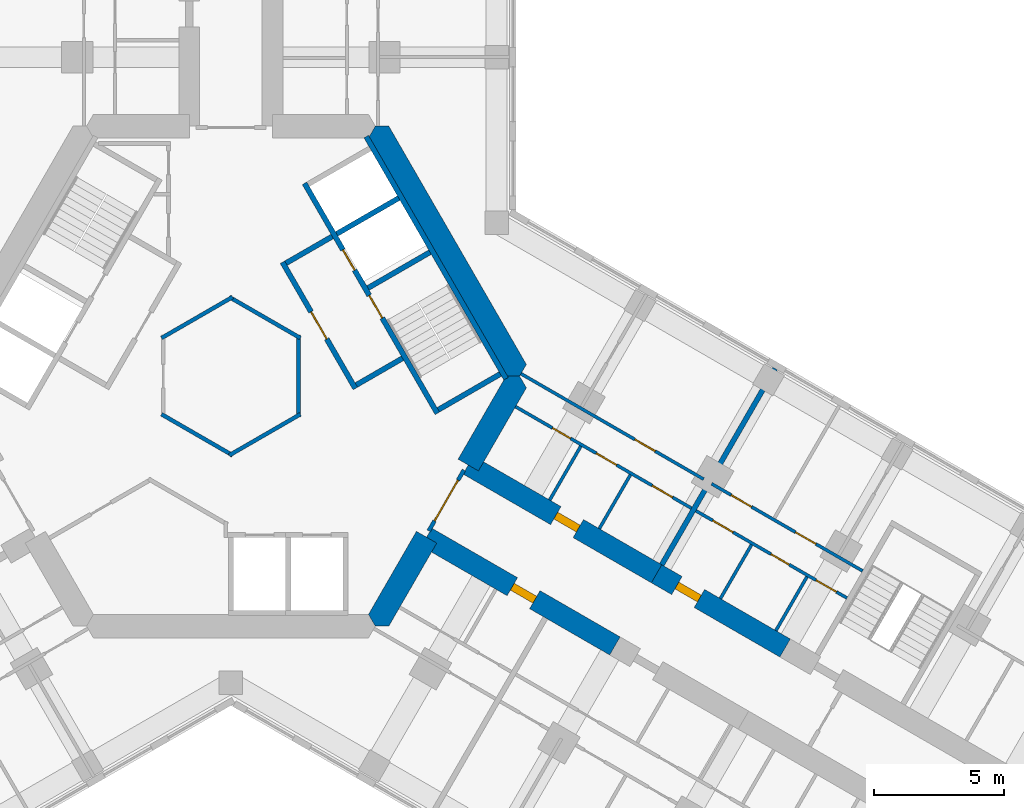
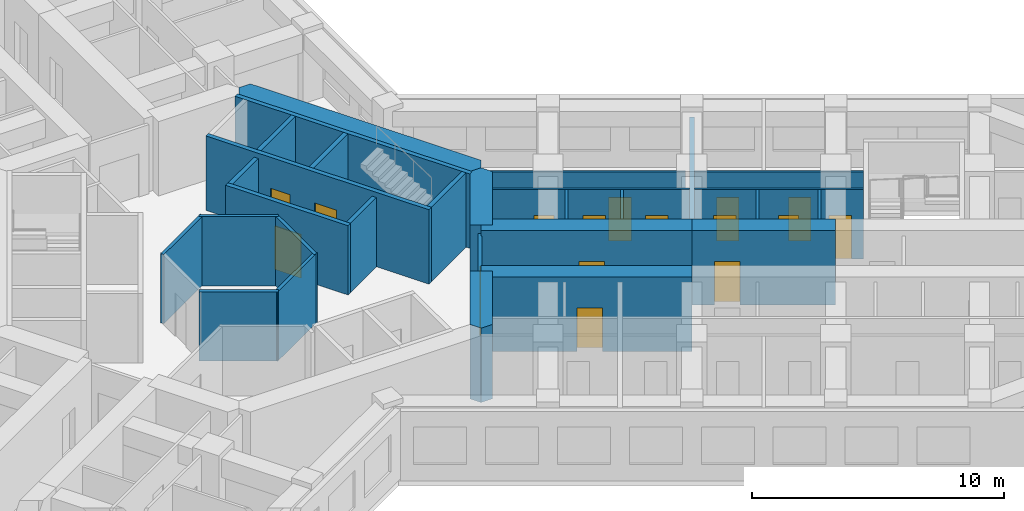
# One storey, part 15 of 19: 29 walls, 16 doors, 16 openings.
"""IFC4 building model written with IfcOpenShell, lengths in metres."""

from ifc_helpers import new_model, si_unit, direction, frame, frame_2d, origin, place, context, subcontext, project, spatial, polyline, rectangle, outline, extrude, material, layer, layer_set, type_object, element, fill, save


model = new_model("IFC4")

# Units and contexts
model_context = context("Model", 3, precision=1e-05, world=origin(), true_north=direction((0.0, 1.0)))
body_context = subcontext(model_context, "Body", "Model", "MODEL_VIEW")
ifc_project = project(units=[si_unit("LENGTHUNIT", "METRE"), si_unit("AREAUNIT", "SQUARE_METRE"), si_unit("VOLUMEUNIT", "CUBIC_METRE"), si_unit("PLANEANGLEUNIT", "RADIAN"), si_unit("MASSUNIT", "GRAM", prefix="KILO")], contexts=[model_context])

# Site, building, storey
site_placement = place(None, origin())
site = spatial("IfcSite", under=ifc_project, at=site_placement, CompositionType="ELEMENT")
building_placement = place(site_placement, origin())
building = spatial("IfcBuilding", under=site, at=building_placement, Name="Kosmar Iwan School Tower", CompositionType="ELEMENT")
storey_placement = place(building_placement, frame((0.0, 0.0, 158.0)))
storey = spatial("IfcBuildingStorey", under=building, at=storey_placement, Name="L39", CompositionType="ELEMENT", Elevation=158.0)

# Walls
ifc_material_1 = material(Name="Gypsum board on steel studs, fire-rated", Category="steel")
ifc_layer_1 = layer(ifc_material_1, 0.14990234375)
ifc_layer_set_1 = layer_set([ifc_layer_1], Name="Core room partition 150")
wall_type_1 = type_object("IfcWallType", Name="Core room partition 150", PredefinedType="PARTITIONING", material=ifc_layer_set_1)
for number, where, z_axis, x_axis, name in (
    (1, (2.6650390625, -1.463623046875, 0.0), (0.0, 0.0, 1.0), (-0.866023080072, -0.500004024767, 0.0), "Core room partition L39-CW8"),
    (2, (0.06494140625, -3.039794921875, 0.0), (0.0, 0.0, 1.0), (-0.866023080072, 0.500004024767, 0.0), "Core room partition L39-CW9"),
    (3, (-2.6650390625, 1.463623046875, 0.0), (0.0, 0.0, 1.0), (0.866023080072, 0.500004024767, 0.0), "Core room partition L39-CW11"),
    (4, (-0.06494140625, 3.039794921875, 0.0), (0.0, 0.0, 1.0), (0.866023080072, -0.500004024767, 0.0), "Core room partition L39-CW12"),
    (5, (2.60009765625, 1.576171875, 0.0), (0.0, 0.0, 1.0), (0.0, -1.0, 0.0), "Core room partition L39-CW13"),
):
    element("IfcWall", number, at=place(storey_placement, frame(where, z_axis=z_axis, x_axis=x_axis)), inside=storey, type_object=wall_type_1, Name=name, PredefinedType="PARTITIONING", context=body_context, shape_type="SweptSolid", body=[
        extrude(rectangle(XDim=3.15234375, YDim=0.14990234375, at=frame_2d((1.576171875, 0.0))), origin(), (0.0, 0.0, 1.0), 3.35009765625),
    ])
ifc_material_2 = material(Name="Concrete C50/60", Category="concrete")
ifc_layer_2 = layer(ifc_material_2, 0.89990234375)
ifc_layer_set_2 = layer_set([ifc_layer_2], Name="Core wall 900")
wall_type_2 = type_object("IfcWallType", Name="Core wall 900", PredefinedType="SHEAR", material=ifc_layer_set_2)
wall_1_placement = place(storey_placement, origin())
element("IfcWall", 6, at=wall_1_placement, inside=storey, type_object=wall_type_2, Name="Core wall F030", PredefinedType="SHEAR", context=body_context, shape_type="SweptSolid", body=[
    extrude(outline(polyline([(10.5654296875, 0.0), (11.085205078125, 0.0), (11.344970703125, 0.449951171875), (6.062255859375, 9.60009765625), (5.54248046875, 9.60009765625), (5.28271484375, 9.14990234375), (10.5654296875, 0.0)])), origin(), (0.0, 0.0, 1.0), 3.60009765625),
])
wall_2_placement = place(storey_placement, origin())
element("IfcWall", 7, at=wall_2_placement, inside=storey, type_object=wall_type_2, Name="Core wall F330a", PredefinedType="SHEAR", context=body_context, shape_type="SweptSolid", body=[
    extrude(outline(polyline([(5.54248046875, -9.60009765625), (6.062255859375, -9.60009765625), (7.903564453125, -6.41064453125), (7.1240234375, -5.960693359375), (5.28271484375, -9.14990234375), (5.54248046875, -9.60009765625)])), origin(), (0.0, 0.0, 1.0), 3.60009765625),
])
wall_3_placement = place(storey_placement, origin())
element("IfcWall", 8, at=wall_3_placement, inside=storey, type_object=wall_type_2, Name="Core wall F330b", PredefinedType="SHEAR", context=body_context, shape_type="SweptSolid", body=[
    extrude(outline(polyline([(9.503662109375, -3.639404296875), (11.344970703125, -0.449951171875), (11.085205078125, 0.0), (10.5654296875, 0.0), (8.72412109375, -3.189453125), (9.503662109375, -3.639404296875)])), origin(), (0.0, 0.0, 1.0), 3.60009765625),
])

# Wall, opening, door
ifc_material_3 = material(Name="Concrete C50/60", Category="concrete")
ifc_layer_3 = layer(ifc_material_3, 0.800048828125)
ifc_layer_set_3 = layer_set([ifc_layer_3], Name="Corridor buttress wall 800")
wall_type_3 = type_object("IfcWallType", Name="Corridor buttress wall 800", PredefinedType="SHEAR", material=ifc_layer_set_3)
wall_4_placement = place(storey_placement, frame((9.11376953125, -3.414306640625, 0.0), z_axis=(0.0, 0.0, 1.0), x_axis=(0.866026859388, -0.499997478812, 0.0)))
wall_4 = element("IfcWall", 9, at=wall_4_placement, inside=storey, type_object=wall_type_3, Name="Corridor wall CL", PredefinedType="SHEAR", context=body_context, shape_type="SweptSolid", body=[
    extrude(rectangle(XDim=8.35009765625, YDim=0.800048828125, at=frame_2d((4.175048828125, 0.0))), origin(), (0.0, 0.0, 1.0), 3.60009765625),
])
opening_1_placement = place(wall_4_placement, frame((3.8798828125, 0.0, 0.0)))
opening_1 = element("IfcOpeningElement", 10, at=opening_1_placement, cuts=wall_4, Name="Opening D1", PredefinedType="OPENING", context=body_context, shape_type="SweptSolid", body=[
    extrude(rectangle(XDim=1.0, YDim=2.10009765625, at=frame_2d((0.5, 1.050048828125))), frame((0.0, 0.412109375, 0.0), z_axis=(0.0, -1.0, 0.0), x_axis=(1.0, 0.0, 0.0)), (0.0, 0.0, 1.0), 0.823974609375),
])
ifc_material_4 = material(Name="Timber fire door in steel frame", Category="steel")
door_type_1 = type_object("IfcDoorType", Name="Flat entrance door 1000x2100", OperationType="SINGLE_SWING_LEFT", PredefinedType="DOOR", material=ifc_material_4)
door_1_placement = place(opening_1_placement, origin())
door_1 = element("IfcDoor", 11, at=door_1_placement, inside=storey, type_object=door_type_1, Name="Flat L39-CL1 entrance door", OperationType="SINGLE_SWING_LEFT", OverallHeight=2.10009765625, OverallWidth=1.0, PredefinedType="DOOR", context=body_context, shape_type="SweptSolid", body=[
    extrude(rectangle(XDim=1.0, YDim=2.10009765625, at=frame_2d((0.5, 1.050048828125))), frame((0.0, 0.14990234375, 0.0), z_axis=(0.0, -1.0, 0.0), x_axis=(1.0, 0.0, 0.0)), (0.0, 0.0, 1.0), 0.300048828125),
])
fill(opening_1, door_1)

wall_5_placement = place(storey_placement, frame((16.34521484375, -7.58935546875, 0.0), z_axis=(0.0, 0.0, 1.0), x_axis=(0.866015111908, -0.50001782563, 0.0)))
wall_5 = element("IfcWall", 12, at=wall_5_placement, inside=storey, type_object=wall_type_3, Name="Corridor wall CL bay 2", PredefinedType="SHEAR", context=body_context, shape_type="SweptSolid", body=[
    extrude(rectangle(XDim=5.699951171875, YDim=0.800048828125, at=frame_2d((2.85009765625, 0.0))), origin(), (0.0, 0.0, 1.0), 3.60009765625),
])
opening_2_placement = place(wall_5_placement, frame((0.89990234375, 0.0, 0.0)))
opening_2 = element("IfcOpeningElement", 13, at=opening_2_placement, cuts=wall_5, Name="Opening D1", PredefinedType="OPENING", context=body_context, shape_type="SweptSolid", body=[
    extrude(rectangle(XDim=1.0, YDim=2.10009765625, at=frame_2d((0.5, 1.050048828125))), frame((0.0, 0.412109375, 0.0), z_axis=(0.0, -1.0, 0.0), x_axis=(1.0, 0.0, 0.0)), (0.0, 0.0, 1.0), 0.823974609375),
])
door_2_placement = place(opening_2_placement, origin())
door_2 = element("IfcDoor", 14, at=door_2_placement, inside=storey, type_object=door_type_1, Name="Flat L39-CL2 entrance door", OperationType="SINGLE_SWING_RIGHT", OverallHeight=2.10009765625, OverallWidth=1.0, PredefinedType="DOOR", context=body_context, shape_type="SweptSolid", body=[
    extrude(rectangle(XDim=1.0, YDim=2.10009765625, at=frame_2d((0.5, 1.050048828125))), frame((0.0, 0.14990234375, 0.0), z_axis=(0.0, -1.0, 0.0), x_axis=(1.0, 0.0, 0.0)), (0.0, 0.0, 1.0), 0.300048828125),
])
fill(opening_2, door_2)

wall_6_placement = place(storey_placement, frame((7.513916015625, -6.185546875, 0.0), z_axis=(0.0, 0.0, 1.0), x_axis=(0.866019549707, -0.500010139422, 0.0)))
wall_6 = element("IfcWall", 15, at=wall_6_placement, inside=storey, type_object=wall_type_3, Name="Corridor wall CR", PredefinedType="SHEAR", context=body_context, shape_type="SweptSolid", body=[
    extrude(rectangle(XDim=8.349853515625, YDim=0.800048828125, at=frame_2d((4.1748046875, 0.0))), origin(), (0.0, 0.0, 1.0), 3.60009765625),
])
opening_3_placement = place(wall_6_placement, frame((3.800048828125, 0.0, 0.0)))
opening_3 = element("IfcOpeningElement", 16, at=opening_3_placement, cuts=wall_6, Name="Opening D1", PredefinedType="OPENING", context=body_context, shape_type="SweptSolid", body=[
    extrude(rectangle(XDim=1.0, YDim=2.10009765625, at=frame_2d((0.5, 1.050048828125))), frame((0.0, 0.412109375, 0.0), z_axis=(0.0, -1.0, 0.0), x_axis=(1.0, 0.0, 0.0)), (0.0, 0.0, 1.0), 0.823974609375),
])
door_3_placement = place(opening_3_placement, origin())
door_3 = element("IfcDoor", 17, at=door_3_placement, inside=storey, type_object=door_type_1, Name="Flat L39-CR1 entrance door", OperationType="SINGLE_SWING_RIGHT", OverallHeight=2.10009765625, OverallWidth=1.0, PredefinedType="DOOR", context=body_context, shape_type="SweptSolid", body=[
    extrude(rectangle(XDim=1.0, YDim=2.10009765625, at=frame_2d((0.5, 1.050048828125))), frame((0.0, 0.14990234375, 0.0), z_axis=(0.0, -1.0, 0.0), x_axis=(1.0, 0.0, 0.0)), (0.0, 0.0, 1.0), 0.300048828125),
])
fill(opening_3, door_3)

ifc_material_5 = material(Name="Steel framed glazed screen", Category="steel")
ifc_layer_4 = layer(ifc_material_5, 0.14990234375)
ifc_layer_set_4 = layer_set([ifc_layer_4], Name="Corridor screen wall 150")
wall_type_4 = type_object("IfcWallType", Name="Corridor screen wall 150", PredefinedType="PARTITIONING", material=ifc_layer_set_4)
wall_7_placement = place(storey_placement, frame((7.595458984375, -5.944091796875, 0.0), z_axis=(0.0, 0.0, 1.0), x_axis=(0.500048589285, 0.86599734893, 0.0)))
wall_7 = element("IfcWall", 18, at=wall_7_placement, inside=storey, type_object=wall_type_4, Name="Corridor screen C L39", PredefinedType="PARTITIONING", context=body_context, shape_type="SweptSolid", body=[
    extrude(rectangle(XDim=2.699951171875, YDim=0.14990234375, at=frame_2d((1.35009765625, 0.0))), origin(), (0.0, 0.0, 1.0), 3.35009765625),
])
opening_4_placement = place(wall_7_placement, frame((0.449951171875, 0.0, 0.0)))
opening_4 = element("IfcOpeningElement", 19, at=opening_4_placement, cuts=wall_7, Name="Opening D9", PredefinedType="OPENING", context=body_context, shape_type="SweptSolid", body=[
    extrude(rectangle(XDim=1.800048828125, YDim=2.10009765625, at=frame_2d((0.89990234375, 1.050048828125))), frame((0.0, 0.0869140625, 0.0), z_axis=(0.0, -1.0, 0.0), x_axis=(1.0, 0.0, 0.0)), (0.0, 0.0, 1.0), 0.173828125),
])
ifc_material_6 = material(Name="Steel framed glazed smoke door", Category="steel")
door_type_2 = type_object("IfcDoorType", Name="Corridor smoke door pair 1800x2100", OperationType="DOUBLE_DOOR_DOUBLE_SWING", PredefinedType="DOOR", material=ifc_material_6)
door_4_placement = place(opening_4_placement, origin())
door_4 = element("IfcDoor", 20, at=door_4_placement, inside=storey, type_object=door_type_2, Name="Corridor doors C L39", OperationType="DOUBLE_DOOR_DOUBLE_SWING", OverallHeight=2.10009765625, OverallWidth=1.800048828125, PredefinedType="DOOR", context=body_context, shape_type="SweptSolid", body=[
    extrude(rectangle(XDim=1.800048828125, YDim=2.10009765625, at=frame_2d((0.89990234375, 1.050048828125))), frame((0.0, 0.02490234375, 0.0), z_axis=(0.0, -1.0, 0.0), x_axis=(1.0, 0.0, 0.0)), (0.0, 0.0, 1.0), 0.050048828125),
])
fill(opening_4, door_4)

# Wall, openings, doors
ifc_material_7 = material(Name="Gypsum board on steel studs", Category="steel")
ifc_layer_5 = layer(ifc_material_7, 0.1201171875)
ifc_layer_set_5 = layer_set([ifc_layer_5], Name="Dwelling partition 120")
wall_type_5 = type_object("IfcWallType", Name="Dwelling partition 120", PredefinedType="PARTITIONING", material=ifc_layer_set_5)
wall_8_placement = place(storey_placement, frame((10.928466796875, -1.171142578125, 0.0), z_axis=(0.0, 0.0, 1.0), x_axis=(0.866021400173, -0.500006934395, 0.0)))
wall_8 = element("IfcWall", 21, at=wall_8_placement, inside=storey, type_object=wall_type_5, Name="Partition L39-CL1-W1", PredefinedType="PARTITIONING", context=body_context, shape_type="SweptSolid", body=[
    extrude(rectangle(XDim=7.80029296875, YDim=0.1201171875, at=frame_2d((3.900146484375, 0.0))), origin(), (0.0, 0.0, 1.0), 3.35009765625),
])
opening_5_placement = place(wall_8_placement, frame((1.639892578125, 0.0, 0.0)))
opening_5 = element("IfcOpeningElement", 22, at=opening_5_placement, cuts=wall_8, Name="Opening D3", PredefinedType="OPENING", context=body_context, shape_type="SweptSolid", body=[
    extrude(rectangle(XDim=0.800048828125, YDim=2.10009765625, at=frame_2d((0.39990234375, 1.050048828125))), frame((0.0, 0.072021484375, 0.0), z_axis=(0.0, -1.0, 0.0), x_axis=(1.0, 0.0, 0.0)), (0.0, 0.0, 1.0), 0.14404296875),
])
opening_6_placement = place(wall_8_placement, frame((3.580078125, 0.0, 0.0)))
opening_6 = element("IfcOpeningElement", 23, at=opening_6_placement, cuts=wall_8, Name="Opening D2", PredefinedType="OPENING", context=body_context, shape_type="SweptSolid", body=[
    extrude(rectangle(XDim=0.89990234375, YDim=2.10009765625, at=frame_2d((0.449951171875, 1.050048828125))), frame((0.0, 0.072021484375, 0.0), z_axis=(0.0, -1.0, 0.0), x_axis=(1.0, 0.0, 0.0)), (0.0, 0.0, 1.0), 0.14404296875),
])
opening_7_placement = place(wall_8_placement, frame((6.06494140625, 0.0, 0.0)))
opening_7 = element("IfcOpeningElement", 24, at=opening_7_placement, cuts=wall_8, Name="Opening D2", PredefinedType="OPENING", context=body_context, shape_type="SweptSolid", body=[
    extrude(rectangle(XDim=0.89990234375, YDim=2.10009765625, at=frame_2d((0.449951171875, 1.050048828125))), frame((0.0, 0.072021484375, 0.0), z_axis=(0.0, -1.0, 0.0), x_axis=(1.0, 0.0, 0.0)), (0.0, 0.0, 1.0), 0.14404296875),
])
ifc_material_8 = material(Name="Timber door in timber frame", Category="wood")
door_type_3 = type_object("IfcDoorType", Name="Internal door 900x2100", OperationType="SINGLE_SWING_LEFT", PredefinedType="DOOR", material=ifc_material_8)
door_5_placement = place(opening_6_placement, origin())
door_5 = element("IfcDoor", 25, at=door_5_placement, inside=storey, type_object=door_type_3, Name="Entrance hall door L39-CL1-S2", OperationType="SINGLE_SWING_RIGHT", OverallHeight=2.10009765625, OverallWidth=0.89990234375, PredefinedType="DOOR", context=body_context, shape_type="SweptSolid", body=[
    extrude(rectangle(XDim=0.89990234375, YDim=2.10009765625, at=frame_2d((0.449951171875, 1.050048828125))), frame((0.0, 0.02490234375, 0.0), z_axis=(0.0, -1.0, 0.0), x_axis=(1.0, 0.0, 0.0)), (0.0, 0.0, 1.0), 0.050048828125),
])
fill(opening_6, door_5)
door_6_placement = place(opening_7_placement, origin())
door_6 = element("IfcDoor", 26, at=door_6_placement, inside=storey, type_object=door_type_3, Name="Pantry door L39-CL1-S3", OperationType="SINGLE_SWING_RIGHT", OverallHeight=2.10009765625, OverallWidth=0.89990234375, PredefinedType="DOOR", context=body_context, shape_type="SweptSolid", body=[
    extrude(rectangle(XDim=0.89990234375, YDim=2.10009765625, at=frame_2d((0.449951171875, 1.050048828125))), frame((0.0, 0.02490234375, 0.0), z_axis=(0.0, -1.0, 0.0), x_axis=(1.0, 0.0, 0.0)), (0.0, 0.0, 1.0), 0.050048828125),
])
fill(opening_7, door_6)
ifc_material_9 = material(Name="Timber door in timber frame", Category="wood")
door_type_4 = type_object("IfcDoorType", Name="Sanitary room door 800x2100", OperationType="SINGLE_SWING_LEFT", PredefinedType="DOOR", material=ifc_material_9)
door_7_placement = place(opening_5_placement, origin())
door_7 = element("IfcDoor", 27, at=door_7_placement, inside=storey, type_object=door_type_4, Name="Bathroom door L39-CL1-S1", OperationType="SINGLE_SWING_LEFT", OverallHeight=2.10009765625, OverallWidth=0.800048828125, PredefinedType="DOOR", context=body_context, shape_type="SweptSolid", body=[
    extrude(rectangle(XDim=0.800048828125, YDim=2.10009765625, at=frame_2d((0.39990234375, 1.050048828125))), frame((0.0, 0.02490234375, 0.0), z_axis=(0.0, -1.0, 0.0), x_axis=(1.0, 0.0, 0.0)), (0.0, 0.0, 1.0), 0.050048828125),
])
fill(opening_5, door_7)

# Wall, opening, door
wall_9_placement = place(storey_placement, frame((11.138916015625, 0.093017578125, 0.0), z_axis=(0.0, 0.0, 1.0), x_axis=(0.866017937352, -0.500012932018, 0.0)))
wall_9 = element("IfcWall", 28, at=wall_9_placement, inside=storey, type_object=wall_type_5, Name="Partition L39-CL1-W2", PredefinedType="PARTITIONING", context=body_context, shape_type="SweptSolid", body=[
    extrude(rectangle(XDim=8.099853515625, YDim=0.1201171875, at=frame_2d((4.0498046875, 0.0))), origin(), (0.0, 0.0, 1.0), 3.35009765625),
])
opening_8_placement = place(wall_9_placement, frame((5.050048828125, 0.0, 0.0)))
opening_8 = element("IfcOpeningElement", 29, at=opening_8_placement, cuts=wall_9, Name="Opening D2", PredefinedType="OPENING", context=body_context, shape_type="SweptSolid", body=[
    extrude(rectangle(XDim=0.89990234375, YDim=2.10009765625, at=frame_2d((0.449951171875, 1.050048828125))), frame((0.0, 0.072021484375, 0.0), z_axis=(0.0, -1.0, 0.0), x_axis=(1.0, 0.0, 0.0)), (0.0, 0.0, 1.0), 0.14404296875),
])
door_8_placement = place(opening_8_placement, origin())
door_8 = element("IfcDoor", 30, at=door_8_placement, inside=storey, type_object=door_type_3, Name="Studio living room door L39-CL1-F2", OperationType="SINGLE_SWING_RIGHT", OverallHeight=2.10009765625, OverallWidth=0.89990234375, PredefinedType="DOOR", context=body_context, shape_type="SweptSolid", body=[
    extrude(rectangle(XDim=0.89990234375, YDim=2.10009765625, at=frame_2d((0.449951171875, 1.050048828125))), frame((0.0, 0.02490234375, 0.0), z_axis=(0.0, -1.0, 0.0), x_axis=(1.0, 0.0, 0.0)), (0.0, 0.0, 1.0), 0.050048828125),
])
fill(opening_8, door_8)

# Walls
for number, where, z_axis, x_axis, name in (
    (31, (12.240966796875, -4.758056640625, 0.0), (0.0, 0.0, 1.0), (0.500017192868, 0.86601547725, 0.0), "Partition L39-CL1-Y1"),
    (32, (14.146240234375, -5.85791015625, 0.0), (0.0, 0.0, 1.0), (0.500017192868, 0.86601547725, 0.0), "Partition L39-CL1-Y2"),
):
    element("IfcWall", number, at=place(storey_placement, frame(where, z_axis=z_axis, x_axis=x_axis)), inside=storey, type_object=wall_type_5, Name=name, PredefinedType="PARTITIONING", context=body_context, shape_type="SweptSolid", body=[
        extrude(rectangle(XDim=2.39013671875, YDim=0.1201171875, at=frame_2d((1.195068359375, 0.0))), origin(), (0.0, 0.0, 1.0), 3.35009765625),
    ])

# Wall, openings, doors
wall_10_placement = place(storey_placement, frame((17.856689453125, -5.171142578125, 0.0), z_axis=(0.0, 0.0, 1.0), x_axis=(0.866023571113, -0.500003174267, 0.0)))
wall_10 = element("IfcWall", 33, at=wall_10_placement, inside=storey, type_object=wall_type_5, Name="Partition L39-CL2-W1", PredefinedType="PARTITIONING", context=body_context, shape_type="SweptSolid", body=[
    extrude(rectangle(XDim=6.7001953125, YDim=0.1201171875, at=frame_2d((3.35009765625, 0.0))), origin(), (0.0, 0.0, 1.0), 3.35009765625),
])
opening_9_placement = place(wall_10_placement, frame((0.75, 0.0, 0.0)))
opening_9 = element("IfcOpeningElement", 34, at=opening_9_placement, cuts=wall_10, Name="Opening D2", PredefinedType="OPENING", context=body_context, shape_type="SweptSolid", body=[
    extrude(rectangle(XDim=0.89990234375, YDim=2.10009765625, at=frame_2d((0.449951171875, 1.050048828125))), frame((0.0, 0.072021484375, 0.0), z_axis=(0.0, -1.0, 0.0), x_axis=(1.0, 0.0, 0.0)), (0.0, 0.0, 1.0), 0.14404296875),
])
opening_10_placement = place(wall_10_placement, frame((3.330078125, 0.0, 0.0)))
opening_10 = element("IfcOpeningElement", 35, at=opening_10_placement, cuts=wall_10, Name="Opening D3", PredefinedType="OPENING", context=body_context, shape_type="SweptSolid", body=[
    extrude(rectangle(XDim=0.800048828125, YDim=2.10009765625, at=frame_2d((0.39990234375, 1.050048828125))), frame((0.0, 0.072021484375, 0.0), z_axis=(0.0, -1.0, 0.0), x_axis=(1.0, 0.0, 0.0)), (0.0, 0.0, 1.0), 0.14404296875),
])
opening_11_placement = place(wall_10_placement, frame((5.330078125, 0.0, 0.0)))
opening_11 = element("IfcOpeningElement", 36, at=opening_11_placement, cuts=wall_10, Name="Opening D2", PredefinedType="OPENING", context=body_context, shape_type="SweptSolid", body=[
    extrude(rectangle(XDim=0.89990234375, YDim=2.10009765625, at=frame_2d((0.449951171875, 1.050048828125))), frame((0.0, 0.072021484375, 0.0), z_axis=(0.0, -1.0, 0.0), x_axis=(1.0, 0.0, 0.0)), (0.0, 0.0, 1.0), 0.14404296875),
])
door_9_placement = place(opening_9_placement, origin())
door_9 = element("IfcDoor", 37, at=door_9_placement, inside=storey, type_object=door_type_3, Name="Entrance hall door L39-CL2-S1", OperationType="SINGLE_SWING_LEFT", OverallHeight=2.10009765625, OverallWidth=0.89990234375, PredefinedType="DOOR", context=body_context, shape_type="SweptSolid", body=[
    extrude(rectangle(XDim=0.89990234375, YDim=2.10009765625, at=frame_2d((0.449951171875, 1.050048828125))), frame((0.0, 0.02490234375, 0.0), z_axis=(0.0, -1.0, 0.0), x_axis=(1.0, 0.0, 0.0)), (0.0, 0.0, 1.0), 0.050048828125),
])
fill(opening_9, door_9)
door_10_placement = place(opening_11_placement, frame((0.89990234375, 0.0, 0.0), z_axis=(0.0, 0.0, 1.0), x_axis=(-1.0, 0.0, 0.0)))
door_10 = element("IfcDoor", 38, at=door_10_placement, inside=storey, type_object=door_type_3, Name="Pantry door L39-CL2-S3", OperationType="SINGLE_SWING_LEFT", OverallHeight=2.10009765625, OverallWidth=0.89990234375, PredefinedType="DOOR", context=body_context, shape_type="SweptSolid", body=[
    extrude(rectangle(XDim=0.89990234375, YDim=2.10009765625, at=frame_2d((0.449951171875, 1.050048828125))), frame((0.0, 0.02490234375, 0.0), z_axis=(0.0, -1.0, 0.0), x_axis=(1.0, 0.0, 0.0)), (0.0, 0.0, 1.0), 0.050048828125),
])
fill(opening_11, door_10)
door_11_placement = place(opening_10_placement, origin())
door_11 = element("IfcDoor", 39, at=door_11_placement, inside=storey, type_object=door_type_4, Name="Bathroom door L39-CL2-S2", OperationType="SINGLE_SWING_RIGHT", OverallHeight=2.10009765625, OverallWidth=0.800048828125, PredefinedType="DOOR", context=body_context, shape_type="SweptSolid", body=[
    extrude(rectangle(XDim=0.800048828125, YDim=2.10009765625, at=frame_2d((0.39990234375, 1.050048828125))), frame((0.0, 0.02490234375, 0.0), z_axis=(0.0, -1.0, 0.0), x_axis=(1.0, 0.0, 0.0)), (0.0, 0.0, 1.0), 0.050048828125),
])
fill(opening_10, door_11)

wall_11_placement = place(storey_placement, frame((18.456787109375, -4.1318359375, 0.0), z_axis=(0.0, 0.0, 1.0), x_axis=(0.866014461049, -0.500018952895, 0.0)))
wall_11 = element("IfcWall", 40, at=wall_11_placement, inside=storey, type_object=wall_type_5, Name="Partition L39-CL2-W2", PredefinedType="PARTITIONING", context=body_context, shape_type="SweptSolid", body=[
    extrude(rectangle(XDim=6.699951171875, YDim=0.1201171875, at=frame_2d((3.35009765625, 0.0))), origin(), (0.0, 0.0, 1.0), 3.35009765625),
])
opening_12_placement = place(wall_11_placement, frame((0.875, 0.0, 0.0)))
opening_12 = element("IfcOpeningElement", 41, at=opening_12_placement, cuts=wall_11, Name="Opening D2", PredefinedType="OPENING", context=body_context, shape_type="SweptSolid", body=[
    extrude(rectangle(XDim=0.89990234375, YDim=2.10009765625, at=frame_2d((0.449951171875, 1.050048828125))), frame((0.0, 0.072021484375, 0.0), z_axis=(0.0, -1.0, 0.0), x_axis=(1.0, 0.0, 0.0)), (0.0, 0.0, 1.0), 0.14404296875),
])
opening_13_placement = place(wall_11_placement, frame((3.72509765625, 0.0, 0.0)))
opening_13 = element("IfcOpeningElement", 42, at=opening_13_placement, cuts=wall_11, Name="Opening D2", PredefinedType="OPENING", context=body_context, shape_type="SweptSolid", body=[
    extrude(rectangle(XDim=0.89990234375, YDim=2.10009765625, at=frame_2d((0.449951171875, 1.050048828125))), frame((0.0, 0.072021484375, 0.0), z_axis=(0.0, -1.0, 0.0), x_axis=(1.0, 0.0, 0.0)), (0.0, 0.0, 1.0), 0.14404296875),
])
door_12_placement = place(opening_12_placement, origin())
door_12 = element("IfcDoor", 43, at=door_12_placement, inside=storey, type_object=door_type_3, Name="Family room and kitchen door L39-CL2-F1", OperationType="SINGLE_SWING_LEFT", OverallHeight=2.10009765625, OverallWidth=0.89990234375, PredefinedType="DOOR", context=body_context, shape_type="SweptSolid", body=[
    extrude(rectangle(XDim=0.89990234375, YDim=2.10009765625, at=frame_2d((0.449951171875, 1.050048828125))), frame((0.0, 0.02490234375, 0.0), z_axis=(0.0, -1.0, 0.0), x_axis=(1.0, 0.0, 0.0)), (0.0, 0.0, 1.0), 0.050048828125),
])
fill(opening_12, door_12)
door_13_placement = place(opening_13_placement, origin())
door_13 = element("IfcDoor", 44, at=door_13_placement, inside=storey, type_object=door_type_3, Name="Bedroom 1 door L39-CL2-F2", OperationType="SINGLE_SWING_RIGHT", OverallHeight=2.10009765625, OverallWidth=0.89990234375, PredefinedType="DOOR", context=body_context, shape_type="SweptSolid", body=[
    extrude(rectangle(XDim=0.89990234375, YDim=2.10009765625, at=frame_2d((0.449951171875, 1.050048828125))), frame((0.0, 0.02490234375, 0.0), z_axis=(0.0, -1.0, 0.0), x_axis=(1.0, 0.0, 0.0)), (0.0, 0.0, 1.0), 0.050048828125),
])
fill(opening_13, door_13)

# Walls
for number, where, z_axis, x_axis, name in (
    (45, (18.796875, -8.54296875, 0.0), (0.0, 0.0, 1.0), (0.500017192868, 0.86601547725, 0.0), "Partition L39-CL2-Y1"),
    (46, (20.92724609375, -9.77294921875, 0.0), (0.0, 0.0, 1.0), (0.500017192868, 0.86601547725, 0.0), "Partition L39-CL2-Y2"),
):
    element("IfcWall", number, at=place(storey_placement, frame(where, z_axis=z_axis, x_axis=x_axis)), inside=storey, type_object=wall_type_5, Name=name, PredefinedType="PARTITIONING", context=body_context, shape_type="SweptSolid", body=[
        extrude(rectangle(XDim=2.39013671875, YDim=0.1201171875, at=frame_2d((1.195068359375, 0.0))), origin(), (0.0, 0.0, 1.0), 3.35009765625),
    ])

# Wall, opening, door
ifc_material_10 = material(Name="Concrete block masonry", Category="masonry")
ifc_layer_6 = layer(ifc_material_10, 0.199951171875)
ifc_layer_set_6 = layer_set([ifc_layer_6], Name="Fire lobby wall 200")
wall_type_6 = type_object("IfcWallType", Name="Fire lobby wall 200", PredefinedType="PARTITIONING", material=ifc_layer_set_6)
wall_12_placement = place(storey_placement, frame((4.777587890625, -0.474853515625, 0.0), z_axis=(0.0, 0.0, 1.0), x_axis=(-0.500016814911, 0.866015695474, 0.0)))
wall_12 = element("IfcWall", 47, at=wall_12_placement, inside=storey, type_object=wall_type_6, Name="Firefighting lobby wall ST1", PredefinedType="PARTITIONING", context=body_context, shape_type="SweptSolid", body=[
    extrude(rectangle(XDim=5.599853515625, YDim=0.199951171875, at=frame_2d((2.7998046875, 0.0))), origin(), (0.0, 0.0, 1.0), 3.35009765625),
])
opening_14_placement = place(wall_12_placement, frame((2.199951171875, 0.0, 0.0)))
opening_14 = element("IfcOpeningElement", 48, at=opening_14_placement, cuts=wall_12, Name="Opening D7", PredefinedType="OPENING", context=body_context, shape_type="SweptSolid", body=[
    extrude(rectangle(XDim=1.199951171875, YDim=2.10009765625, at=frame_2d((0.60009765625, 1.050048828125))), frame((0.0, 0.112060546875, 0.0), z_axis=(0.0, -1.0, 0.0), x_axis=(1.0, 0.0, 0.0)), (0.0, 0.0, 1.0), 0.223876953125),
])
ifc_material_11 = material(Name="Steel fire door", Category="steel")
door_type_5 = type_object("IfcDoorType", Name="Fire lobby door 1200x2100", OperationType="SINGLE_SWING_LEFT", PredefinedType="DOOR", material=ifc_material_11)
door_14_placement = place(opening_14_placement, frame((1.199951171875, 0.0, 0.0), z_axis=(0.0, 0.0, 1.0), x_axis=(-1.0, 0.0, 0.0)))
door_14 = element("IfcDoor", 49, at=door_14_placement, inside=storey, type_object=door_type_5, Name="Firefighting lobby door ST1 L39", OperationType="SINGLE_SWING_LEFT", OverallHeight=2.10009765625, OverallWidth=1.199951171875, PredefinedType="DOOR", context=body_context, shape_type="SweptSolid", body=[
    extrude(rectangle(XDim=1.199951171875, YDim=2.10009765625, at=frame_2d((0.60009765625, 1.050048828125))), frame((0.0, 0.02490234375, 0.0), z_axis=(0.0, -1.0, 0.0), x_axis=(1.0, 0.0, 0.0)), (0.0, 0.0, 1.0), 0.050048828125),
])
fill(opening_14, door_14)

# Walls
wall_13_placement = place(storey_placement, frame((4.814208984375, -0.33837890625, 0.0), z_axis=(0.0, 0.0, 1.0), x_axis=(0.865969381856, 0.500097020274, 0.0)))
element("IfcWall", 50, at=wall_13_placement, inside=storey, type_object=wall_type_6, Name="Firefighting lobby wall ST1", PredefinedType="PARTITIONING", context=body_context, shape_type="SweptSolid", body=[
    extrude(rectangle(XDim=2.0498046875, YDim=0.199951171875, at=frame_2d((1.02490234375, 0.0))), origin(), (0.0, 0.0, 1.0), 3.35009765625),
])
wall_14_placement = place(storey_placement, frame((2.114013671875, 4.33837890625, 0.0), z_axis=(0.0, 0.0, 1.0), x_axis=(0.866050731258, 0.499956128963, 0.0)))
element("IfcWall", 51, at=wall_14_placement, inside=storey, type_object=wall_type_6, Name="Firefighting lobby wall ST1", PredefinedType="PARTITIONING", context=body_context, shape_type="SweptSolid", body=[
    extrude(rectangle(XDim=2.050048828125, YDim=0.199951171875, at=frame_2d((1.02490234375, 0.0))), origin(), (0.0, 0.0, 1.0), 3.35009765625),
])

# Wall, openings, doors
ifc_material_12 = material(Name="Concrete C50/60", Category="concrete")
ifc_layer_7 = layer(ifc_material_12, 0.199951171875)
ifc_layer_set_7 = layer_set([ifc_layer_7], Name="Lift shaft wall 200")
wall_type_7 = type_object("IfcWallType", Name="Lift shaft wall 200", PredefinedType="SHEAR", material=ifc_layer_set_7)
wall_15_placement = place(storey_placement, frame((7.926025390625, -1.42822265625, 0.0), z_axis=(0.0, 0.0, 1.0), x_axis=(-0.499998023675, 0.866026544813, 0.0)))
wall_15 = element("IfcWall", 52, at=wall_15_placement, inside=storey, type_object=wall_type_7, Name="Lift and stair front wall AC", PredefinedType="SHEAR", context=body_context, shape_type="SweptSolid", body=[
    extrude(rectangle(XDim=10.19970703125, YDim=0.199951171875, at=frame_2d((5.099853515625, 0.0))), origin(), (0.0, 0.0, 1.0), 3.60009765625),
])
opening_15_placement = place(wall_15_placement, frame((6.35009765625, 0.0, 0.0)))
opening_15 = element("IfcOpeningElement", 53, at=opening_15_placement, cuts=wall_15, Name="Opening LD2", PredefinedType="OPENING", context=body_context, shape_type="SweptSolid", body=[
    extrude(rectangle(XDim=0.89990234375, YDim=2.10009765625, at=frame_2d((0.449951171875, 1.050048828125))), frame((0.0, 0.112060546875, 0.0), z_axis=(0.0, -1.0, 0.0), x_axis=(1.0, 0.0, 0.0)), (0.0, 0.0, 1.0), 0.223876953125),
])
opening_16_placement = place(wall_15_placement, frame((4.22998046875, 0.0, 0.0)))
opening_16 = element("IfcOpeningElement", 54, at=opening_16_placement, cuts=wall_15, Name="Opening D6", PredefinedType="OPENING", context=body_context, shape_type="SweptSolid", body=[
    extrude(rectangle(XDim=1.0, YDim=2.10009765625, at=frame_2d((0.5, 1.050048828125))), frame((0.0, 0.112060546875, 0.0), z_axis=(0.0, -1.0, 0.0), x_axis=(1.0, 0.0, 0.0)), (0.0, 0.0, 1.0), 0.223876953125),
])
ifc_material_13 = material(Name="Stainless steel sliding lift door", Category="steel")
door_type_6 = type_object("IfcDoorType", Name="Firefighting lift landing door 900x2100", OperationType="SLIDING_TO_LEFT", PredefinedType="DOOR", material=ifc_material_13)
door_15_placement = place(opening_15_placement, origin())
door_15 = element("IfcDoor", 55, at=door_15_placement, inside=storey, type_object=door_type_6, Name="Lift FF1 landing door L39", OperationType="SLIDING_TO_LEFT", OverallHeight=2.10009765625, OverallWidth=0.89990234375, PredefinedType="DOOR", context=body_context, shape_type="SweptSolid", body=[
    extrude(rectangle(XDim=0.89990234375, YDim=2.10009765625, at=frame_2d((0.449951171875, 1.050048828125))), frame((0.0, 0.02490234375, 0.0), z_axis=(0.0, -1.0, 0.0), x_axis=(1.0, 0.0, 0.0)), (0.0, 0.0, 1.0), 0.050048828125),
])
fill(opening_15, door_15)
ifc_material_14 = material(Name="Steel fire door", Category="steel")
door_type_7 = type_object("IfcDoorType", Name="Stair door 1000x2100", OperationType="SINGLE_SWING_LEFT", PredefinedType="DOOR", material=ifc_material_14)
door_16_placement = place(opening_16_placement, origin())
door_16 = element("IfcDoor", 56, at=door_16_placement, inside=storey, type_object=door_type_7, Name="Stair ST1 door L39", OperationType="SINGLE_SWING_LEFT", OverallHeight=2.10009765625, OverallWidth=1.0, PredefinedType="DOOR", context=body_context, shape_type="SweptSolid", body=[
    extrude(rectangle(XDim=1.0, YDim=2.10009765625, at=frame_2d((0.5, 1.050048828125))), frame((0.0, 0.02490234375, 0.0), z_axis=(0.0, -1.0, 0.0), x_axis=(1.0, 0.0, 0.0)), (0.0, 0.0, 1.0), 0.050048828125),
])
fill(opening_16, door_16)

# Walls
wall_16_placement = place(storey_placement, frame((10.5654296875, -0.10009765625, 0.0), z_axis=(0.0, 0.0, 1.0), x_axis=(-0.499999935134, 0.866025441235, 0.0)))
element("IfcWall", 57, at=wall_16_placement, inside=storey, type_object=wall_type_7, Name="Lift and stair back wall AC", PredefinedType="SHEAR", context=body_context, shape_type="SweptSolid", body=[
    extrude(rectangle(XDim=10.73876953125, YDim=0.199951171875, at=frame_2d((5.369384765625, 0.0))), origin(), (0.0, 0.0, 1.0), 3.60009765625),
])
wall_17_placement = place(storey_placement, frame((4.062744140625, 5.46337890625, 0.0), z_axis=(0.0, 0.0, 1.0), x_axis=(0.866027397988, 0.499996545922, 0.0)))
element("IfcWall", 58, at=wall_17_placement, inside=storey, type_object=wall_type_7, Name="Lift shaft wall AC 1", PredefinedType="SHEAR", context=body_context, shape_type="SweptSolid", body=[
    extrude(rectangle(XDim=2.75, YDim=0.199951171875, at=frame_2d((1.375, 0.0))), origin(), (0.0, 0.0, 1.0), 3.60009765625),
])
ifc_material_15 = material(Name="Concrete block masonry", Category="masonry")
ifc_layer_8 = layer(ifc_material_15, 0.199951171875)
ifc_layer_set_8 = layer_set([ifc_layer_8], Name="Party wall 200")
wall_type_8 = type_object("IfcWallType", Name="Party wall 200", PredefinedType="PARTITIONING", material=ifc_layer_set_8)
wall_18_placement = place(storey_placement, frame((16.545166015625, -7.242919921875, 0.0), z_axis=(0.0, 0.0, 1.0), x_axis=(0.500008278454, 0.866020624164, 0.0)))
element("IfcWall", 59, at=wall_18_placement, inside=storey, type_object=wall_type_8, Name="Partition L39-CL2-PW", PredefinedType="PARTITIONING", context=body_context, shape_type="SweptSolid", body=[
    extrude(rectangle(XDim=8.699951171875, YDim=0.199951171875, at=frame_2d((4.35009765625, 0.0))), origin(), (0.0, 0.0, 1.0), 2.449951171875),
])
ifc_material_16 = material(Name="Concrete C50/60", Category="concrete")
ifc_layer_9 = layer(ifc_material_16, 0.199951171875)
ifc_layer_set_9 = layer_set([ifc_layer_9], Name="Stair enclosure wall 200")
wall_type_9 = type_object("IfcWallType", Name="Stair enclosure wall 200", PredefinedType="SHEAR", material=ifc_layer_set_9)
for number, where, z_axis, x_axis, name in (
    (60, (7.962646484375, -1.291748046875, 0.0), (0.0, 0.0, 1.0), (0.866027397988, 0.499996545922, 0.0), "Stair ST1 wall"),
    (61, (5.2626953125, 3.384765625, 0.0), (0.0, 0.0, 1.0), (0.866027397988, 0.499996545922, 0.0), "Stair ST1 wall"),
):
    element("IfcWall", number, at=place(storey_placement, frame(where, z_axis=z_axis, x_axis=x_axis)), inside=storey, type_object=wall_type_9, Name=name, PredefinedType="SHEAR", context=body_context, shape_type="SweptSolid", body=[
        extrude(rectangle(XDim=2.75, YDim=0.199951171875, at=frame_2d((1.375, 0.0))), origin(), (0.0, 0.0, 1.0), 3.60009765625),
    ])

save(model, "model.ifc")
